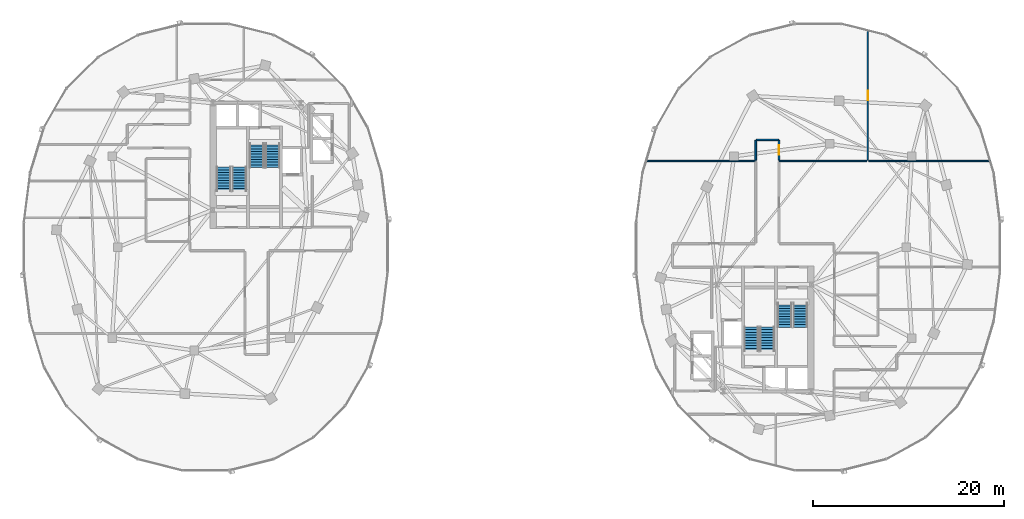
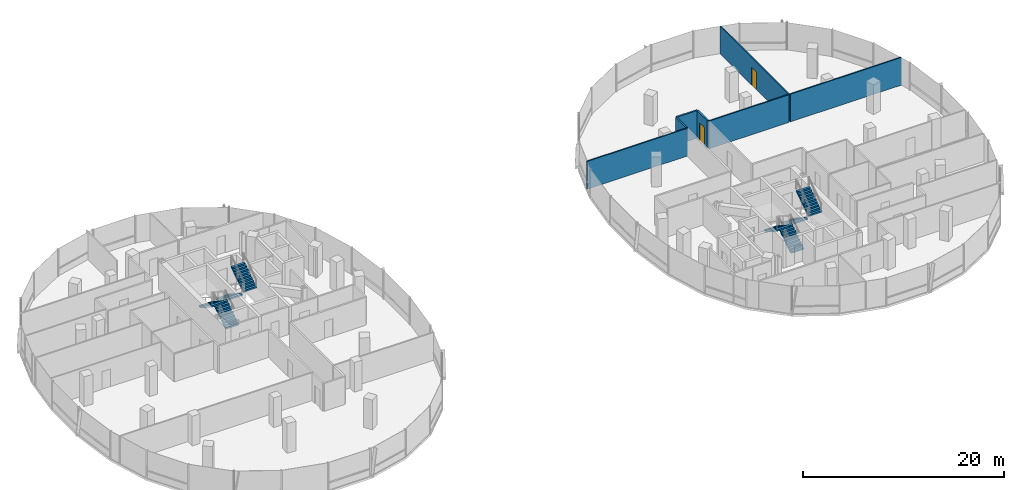
# One storey, part 15 of 22: 8 stair flights, 7 walls, 2 doors, 2 openings, 4 elements without a shape of their own.
"""IFC4 building model written with IfcOpenShell, lengths in metres."""

from ifc_helpers import new_model, si_unit, direction, frame, frame_2d, origin, place, context, subcontext, project, spatial, polyline, rectangle, outline, extrude, material, layer, layer_set, type_object, element, fill, aggregate, save


model = new_model("IFC4")

# Units and contexts
model_context = context("Model", 3, precision=1e-05, world=origin(), true_north=direction((0.0, 1.0)))
body_context = subcontext(model_context, "Body", "Model", "MODEL_VIEW")
ifc_project = project(units=[si_unit("LENGTHUNIT", "METRE"), si_unit("AREAUNIT", "SQUARE_METRE"), si_unit("VOLUMEUNIT", "CUBIC_METRE"), si_unit("PLANEANGLEUNIT", "RADIAN"), si_unit("MASSUNIT", "GRAM", prefix="KILO"), si_unit("THERMODYNAMICTEMPERATUREUNIT", "KELVIN"), si_unit("POWERUNIT", "WATT")], contexts=[model_context])

# Site, building, storey
site_placement = place(None, origin())
site = spatial("IfcSite", under=ifc_project, at=site_placement, CompositionType="ELEMENT")
building_placement = place(site_placement, origin())
building = spatial("IfcBuilding", under=site, at=building_placement, Name="Cundina Bronze Exchange", CompositionType="ELEMENT")
storey_placement = place(building_placement, frame((0.0, 0.0, 154.800048828125)))
storey = spatial("IfcBuildingStorey", under=building, at=storey_placement, Name="L40", CompositionType="ELEMENT", Elevation=154.800048828125)

# Walls
ifc_material_1 = material(Name="Gypsum Fireboard Partition EI120")
ifc_layer_1 = layer(ifc_material_1, 0.179931640625, Name="Gypsum Fireboard Partition EI120")
ifc_layer_set_1 = layer_set([ifc_layer_1], Name="Gypsum Fireboard Partition EI120")
wall_type_1 = type_object("IfcWallType", Name="WL-COR-180", PredefinedType="PARTITIONING", material=ifc_layer_set_1)
wall_1_placement = place(storey_placement, frame((27.87841796875, 11.219970703125, 0.0), z_axis=(0.0, 0.0, 1.0), x_axis=(-1.0, 0.0, 0.0)))
element("IfcWall", 1, at=wall_1_placement, inside=storey, type_object=wall_type_1, Name="L40 Interior Partition 081", PredefinedType="PARTITIONING", context=body_context, shape_type="SweptSolid", body=[
    extrude(rectangle(XDim=2.35693359375, YDim=0.179931640625, at=frame_2d((1.178466796875, 0.0))), origin(), (0.0, 0.0, 1.0), 3.35986328125),
])
wall_2_placement = place(storey_placement, frame((25.47998046875, 11.178466796875, 0.0), z_axis=(0.0, 0.0, 1.0), x_axis=(0.0, -1.0, 0.0)))
element("IfcWall", 2, at=wall_2_placement, inside=storey, type_object=wall_type_1, Name="L40 Interior Partition 082", PredefinedType="PARTITIONING", context=body_context, shape_type="SweptSolid", body=[
    extrude(rectangle(XDim=2.078369140625, YDim=0.179931640625, at=frame_2d((1.0390625, 0.0))), origin(), (0.0, 0.0, 1.0), 3.35986328125),
])

# Wall, opening, door
wall_3_placement = place(storey_placement, frame((27.919921875, 9.10009765625, 0.0), z_axis=(0.0, 0.0, 1.0), x_axis=(0.0, 1.0, 0.0)))
wall_3 = element("IfcWall", 3, at=wall_3_placement, inside=storey, type_object=wall_type_1, Name="L40 Interior Partition 083", PredefinedType="PARTITIONING", context=body_context, shape_type="SweptSolid", body=[
    extrude(rectangle(XDim=2.078369140625, YDim=0.179931640625, at=frame_2d((1.0390625, 0.0))), origin(), (0.0, 0.0, 1.0), 3.35986328125),
])
opening_1_placement = place(wall_3_placement, frame((0.539306640625, 0.0, 0.0)))
opening_1 = element("IfcOpeningElement", 4, at=opening_1_placement, cuts=wall_3, Name="Opening DO-01", PredefinedType="OPENING", context=body_context, shape_type="SweptSolid", body=[
    extrude(rectangle(XDim=1.0, YDim=2.14990234375, at=frame_2d((0.5, 1.074951171875))), frame((0.0, 0.099853515625, 0.0), z_axis=(0.0, -1.0, 0.0), x_axis=(1.0, 0.0, 0.0)), (0.0, 0.0, 1.0), 0.199951171875),
])
ifc_material_2 = material(Name="Solid Andean Oak Timber Grade A", Category="wood")
door_type = type_object("IfcDoorType", Name="DR-OFF-1000", OperationType="NOTDEFINED", PredefinedType="DOOR", material=ifc_material_2)
door_1_placement = place(opening_1_placement, origin())
door_1 = element("IfcDoor", 5, at=door_1_placement, inside=storey, type_object=door_type, Name="L40 Interior Door 083", OperationType="SINGLE_SWING_RIGHT", OverallHeight=2.14990234375, OverallWidth=1.0, PredefinedType="DOOR", context=body_context, shape_type="SweptSolid", body=[
    extrude(rectangle(XDim=1.0, YDim=2.14990234375, at=frame_2d((0.5, 1.074951171875))), frame((0.0, 0.02490234375, 0.0), z_axis=(0.0, -1.0, 0.0), x_axis=(1.0, 0.0, 0.0)), (0.0, 0.0, 1.0), 0.050048828125),
])
fill(opening_1, door_1)

ifc_material_3 = material(Name="Gypsum Acoustic Partition EI60")
ifc_layer_2 = layer(ifc_material_3, 0.125, Name="Gypsum Acoustic Partition EI60")
ifc_layer_set_2 = layer_set([ifc_layer_2], Name="Gypsum Acoustic Partition EI60")
wall_type_2 = type_object("IfcWallType", Name="WL-OFF-125", PredefinedType="PARTITIONING", material=ifc_layer_set_2)
wall_4_placement = place(storey_placement, frame((37.18994140625, 9.10009765625, 0.0), z_axis=(0.0, 0.0, 1.0), x_axis=(0.0, 1.0, 0.0)))
wall_4 = element("IfcWall", 6, at=wall_4_placement, inside=storey, type_object=wall_type_2, Name="L40 Interior Partition 085", PredefinedType="PARTITIONING", context=body_context, shape_type="SweptSolid", body=[
    extrude(rectangle(XDim=13.531982421875, YDim=0.125, at=frame_2d((6.76611328125, 0.0))), origin(), (0.0, 0.0, 1.0), 3.35986328125),
])
opening_2_placement = place(wall_4_placement, frame((6.26611328125, 0.0, 0.0)))
opening_2 = element("IfcOpeningElement", 7, at=opening_2_placement, cuts=wall_4, Name="Opening DO-01", PredefinedType="OPENING", context=body_context, shape_type="SweptSolid", body=[
    extrude(rectangle(XDim=1.0, YDim=2.14990234375, at=frame_2d((0.5, 1.074951171875))), frame((0.0, 0.072509765625, 0.0), z_axis=(0.0, -1.0, 0.0), x_axis=(1.0, 0.0, 0.0)), (0.0, 0.0, 1.0), 0.14501953125),
])
door_2_placement = place(opening_2_placement, origin())
door_2 = element("IfcDoor", 8, at=door_2_placement, inside=storey, type_object=door_type, Name="L40 Interior Door 085", OperationType="SINGLE_SWING_RIGHT", OverallHeight=2.14990234375, OverallWidth=1.0, PredefinedType="DOOR", context=body_context, shape_type="SweptSolid", body=[
    extrude(rectangle(XDim=1.0, YDim=2.14990234375, at=frame_2d((0.5, 1.074951171875))), frame((0.0, 0.02490234375, 0.0), z_axis=(0.0, -1.0, 0.0), x_axis=(1.0, 0.0, 0.0)), (0.0, 0.0, 1.0), 0.050048828125),
])
fill(opening_2, door_2)

# Walls
ifc_layer_3 = layer(ifc_material_3, 0.14990234375, Name="Gypsum Acoustic Partition EI60")
ifc_layer_set_3 = layer_set([ifc_layer_3], Name="Gypsum Acoustic Partition EI60")
wall_type_3 = type_object("IfcWallType", Name="WL-TEN-150", PredefinedType="PARTITIONING", material=ifc_layer_set_3)
wall_5_placement = place(storey_placement, frame((13.95458984375, 9.010009765625, 0.0), z_axis=(0.0, 0.0, 1.0), x_axis=(1.0, 0.0, 0.0)))
element("IfcWall", 9, at=wall_5_placement, inside=storey, type_object=wall_type_3, Name="L40 Interior Partition 058", PredefinedType="PARTITIONING", context=body_context, shape_type="SweptSolid", body=[
    extrude(rectangle(XDim=11.495361328125, YDim=0.14990234375, at=frame_2d((5.74755859375, 0.0))), origin(), (0.0, 0.0, 1.0), 3.35986328125),
])
wall_6_placement = place(storey_placement, frame((27.949951171875, 9.010009765625, 0.0), z_axis=(0.0, 0.0, 1.0), x_axis=(1.0, 0.0, 0.0)))
element("IfcWall", 10, at=wall_6_placement, inside=storey, type_object=wall_type_3, Name="L40 Interior Partition 059", PredefinedType="PARTITIONING", context=body_context, shape_type="SweptSolid", body=[
    extrude(rectangle(XDim=9.155029296875, YDim=0.14990234375, at=frame_2d((4.57763671875, 0.0))), origin(), (0.0, 0.0, 1.0), 3.35986328125),
])
wall_7_placement = place(storey_placement, frame((37.27490234375, 9.010009765625, 0.0), z_axis=(0.0, 0.0, 1.0), x_axis=(1.0, 0.0, 0.0)))
element("IfcWall", 11, at=wall_7_placement, inside=storey, type_object=wall_type_3, Name="L40 Interior Partition 060", PredefinedType="PARTITIONING", context=body_context, shape_type="SweptSolid", body=[
    extrude(rectangle(XDim=12.7705078125, YDim=0.14990234375, at=frame_2d((6.38525390625, 0.0))), origin(), (0.0, 0.0, 1.0), 3.35986328125),
])

# Stair, stair flights
ifc_material_4 = material(Name="Concrete C40/50", Category="concrete")
stair_type = type_object("IfcStairType", Name="STR-OFF-360", PredefinedType="HALF_TURN_STAIR", material=ifc_material_4)
stair_1_placement = place(storey_placement, origin())
stair_1 = element("IfcStair", 12, at=stair_1_placement, inside=storey, type_object=stair_type, Name="L40 Smokeproof Exit Stair W1", PredefinedType="HALF_TURN_STAIR")
stair_flight_type = type_object("IfcStairFlightType", Name="FLG-OFF-180", PredefinedType="STRAIGHT", material=ifc_material_4)
stair_flight_1_placement = place(storey_placement, frame((-28.489990234375, 5.85009765625, 0.0), z_axis=(0.0, 0.0, 1.0), x_axis=(0.0, 1.0, 0.0)))
stair_flight_1 = element("IfcStairFlight", 13, at=stair_flight_1_placement, type_object=stair_flight_type, Name="ST-W1 flight 1", NumberOfRisers=10, NumberOfTreads=9, PredefinedType="STRAIGHT", RiserHeight=0.18, TreadLength=0.28, context=body_context, shape_type="SweptSolid", body=[
    extrude(outline(polyline([(0.0, 0.0), (0.0, 0.179931640625), (0.280029296875, 0.179931640625), (0.280029296875, 0.360107421875), (0.56005859375, 0.360107421875), (0.56005859375, 0.5400390625), (0.840087890625, 0.5400390625), (0.840087890625, 0.719970703125), (1.1201171875, 0.719970703125), (1.1201171875, 0.89990234375), (1.39990234375, 0.89990234375), (1.39990234375, 1.080078125), (1.679931640625, 1.080078125), (1.679931640625, 1.260009765625), (1.9599609375, 1.260009765625), (1.9599609375, 1.43994140625), (2.239990234375, 1.43994140625), (2.239990234375, 1.6201171875), (2.52001953125, 1.6201171875), (2.52001953125, 1.800048828125), (2.52001953125, 1.44189453125), (0.277099609375, 0.0), (0.0, 0.0)])), frame((0.0, 0.75, 0.0), z_axis=(0.0, -1.0, 0.0), x_axis=(1.0, 0.0, 0.0)), (0.0, 0.0, 1.0), 1.5),
])
stair_flight_2_placement = place(storey_placement, frame((-30.14990234375, 8.3701171875, 1.800048828125), z_axis=(0.0, 0.0, 1.0), x_axis=(0.0, -1.0, 0.0)))
stair_flight_2 = element("IfcStairFlight", 14, at=stair_flight_2_placement, type_object=stair_flight_type, Name="ST-W1 flight 2", NumberOfRisers=10, NumberOfTreads=9, PredefinedType="STRAIGHT", RiserHeight=0.18, TreadLength=0.28, context=body_context, shape_type="SweptSolid", body=[
    extrude(outline(polyline([(0.0, 0.0), (0.0, 0.179931640625), (0.280029296875, 0.179931640625), (0.280029296875, 0.360107421875), (0.56005859375, 0.360107421875), (0.56005859375, 0.5400390625), (0.840087890625, 0.5400390625), (0.840087890625, 0.719970703125), (1.1201171875, 0.719970703125), (1.1201171875, 0.89990234375), (1.39990234375, 0.89990234375), (1.39990234375, 1.080078125), (1.679931640625, 1.080078125), (1.679931640625, 1.260009765625), (1.9599609375, 1.260009765625), (1.9599609375, 1.43994140625), (2.239990234375, 1.43994140625), (2.239990234375, 1.6201171875), (2.52001953125, 1.6201171875), (2.52001953125, 1.800048828125), (2.52001953125, 1.44189453125), (0.277099609375, 0.0), (0.0, 0.0)])), frame((0.0, 0.75, 0.0), z_axis=(0.0, -1.0, 0.0), x_axis=(1.0, 0.0, 0.0)), (0.0, 0.0, 1.0), 1.5),
])
aggregate(stair_1, [stair_flight_1, stair_flight_2])

stair_2_placement = place(storey_placement, origin())
stair_2 = element("IfcStair", 15, at=stair_2_placement, inside=storey, type_object=stair_type, Name="L40 Smokeproof Exit Stair W2", PredefinedType="HALF_TURN_STAIR")
stair_flight_3_placement = place(storey_placement, frame((-26.68994140625, 10.85009765625, 0.0), z_axis=(0.0, 0.0, 1.0), x_axis=(0.0, -1.0, 0.0)))
stair_flight_3 = element("IfcStairFlight", 16, at=stair_flight_3_placement, type_object=stair_flight_type, Name="ST-W2 flight 1", NumberOfRisers=10, NumberOfTreads=9, PredefinedType="STRAIGHT", RiserHeight=0.18, TreadLength=0.28, context=body_context, shape_type="SweptSolid", body=[
    extrude(outline(polyline([(0.0, 0.0), (0.0, 0.179931640625), (0.280029296875, 0.179931640625), (0.280029296875, 0.360107421875), (0.56005859375, 0.360107421875), (0.56005859375, 0.5400390625), (0.840087890625, 0.5400390625), (0.840087890625, 0.719970703125), (1.1201171875, 0.719970703125), (1.1201171875, 0.89990234375), (1.39990234375, 0.89990234375), (1.39990234375, 1.080078125), (1.679931640625, 1.080078125), (1.679931640625, 1.260009765625), (1.9599609375, 1.260009765625), (1.9599609375, 1.43994140625), (2.239990234375, 1.43994140625), (2.239990234375, 1.6201171875), (2.52001953125, 1.6201171875), (2.52001953125, 1.800048828125), (2.52001953125, 1.44189453125), (0.277099609375, 0.0), (0.0, 0.0)])), frame((0.0, 0.75, 0.0), z_axis=(0.0, -1.0, 0.0), x_axis=(1.0, 0.0, 0.0)), (0.0, 0.0, 1.0), 1.5),
])
stair_flight_4_placement = place(storey_placement, frame((-25.030029296875, 8.330078125, 1.800048828125), z_axis=(0.0, 0.0, 1.0), x_axis=(0.0, 1.0, 0.0)))
stair_flight_4 = element("IfcStairFlight", 17, at=stair_flight_4_placement, type_object=stair_flight_type, Name="ST-W2 flight 2", NumberOfRisers=10, NumberOfTreads=9, PredefinedType="STRAIGHT", RiserHeight=0.18, TreadLength=0.28, context=body_context, shape_type="SweptSolid", body=[
    extrude(outline(polyline([(0.0, 0.0), (0.0, 0.179931640625), (0.280029296875, 0.179931640625), (0.280029296875, 0.360107421875), (0.56005859375, 0.360107421875), (0.56005859375, 0.5400390625), (0.840087890625, 0.5400390625), (0.840087890625, 0.719970703125), (1.1201171875, 0.719970703125), (1.1201171875, 0.89990234375), (1.39990234375, 0.89990234375), (1.39990234375, 1.080078125), (1.679931640625, 1.080078125), (1.679931640625, 1.260009765625), (1.9599609375, 1.260009765625), (1.9599609375, 1.43994140625), (2.239990234375, 1.43994140625), (2.239990234375, 1.6201171875), (2.52001953125, 1.6201171875), (2.52001953125, 1.800048828125), (2.52001953125, 1.44189453125), (0.277099609375, 0.0), (0.0, 0.0)])), frame((0.0, 0.75, 0.0), z_axis=(0.0, -1.0, 0.0), x_axis=(1.0, 0.0, 0.0)), (0.0, 0.0, 1.0), 1.5),
])
aggregate(stair_2, [stair_flight_3, stair_flight_4])

stair_3_placement = place(storey_placement, origin())
stair_3 = element("IfcStair", 18, at=stair_3_placement, inside=storey, type_object=stair_type, Name="L40 Smokeproof Exit Stair E1", PredefinedType="HALF_TURN_STAIR")
stair_flight_5_placement = place(storey_placement, frame((28.489990234375, -5.85009765625, 0.0), z_axis=(0.0, 0.0, 1.0), x_axis=(0.0, -1.0, 0.0)))
stair_flight_5 = element("IfcStairFlight", 19, at=stair_flight_5_placement, type_object=stair_flight_type, Name="ST-E1 flight 1", NumberOfRisers=10, NumberOfTreads=9, PredefinedType="STRAIGHT", RiserHeight=0.18, TreadLength=0.28, context=body_context, shape_type="SweptSolid", body=[
    extrude(outline(polyline([(0.0, 0.0), (0.0, 0.179931640625), (0.280029296875, 0.179931640625), (0.280029296875, 0.360107421875), (0.56005859375, 0.360107421875), (0.56005859375, 0.5400390625), (0.840087890625, 0.5400390625), (0.840087890625, 0.719970703125), (1.1201171875, 0.719970703125), (1.1201171875, 0.89990234375), (1.39990234375, 0.89990234375), (1.39990234375, 1.080078125), (1.679931640625, 1.080078125), (1.679931640625, 1.260009765625), (1.9599609375, 1.260009765625), (1.9599609375, 1.43994140625), (2.239990234375, 1.43994140625), (2.239990234375, 1.6201171875), (2.52001953125, 1.6201171875), (2.52001953125, 1.800048828125), (2.52001953125, 1.44189453125), (0.277099609375, 0.0), (0.0, 0.0)])), frame((0.0, 0.75, 0.0), z_axis=(0.0, -1.0, 0.0), x_axis=(1.0, 0.0, 0.0)), (0.0, 0.0, 1.0), 1.5),
])
stair_flight_6_placement = place(storey_placement, frame((30.14990234375, -8.3701171875, 1.800048828125), z_axis=(0.0, 0.0, 1.0), x_axis=(0.0, 1.0, 0.0)))
stair_flight_6 = element("IfcStairFlight", 20, at=stair_flight_6_placement, type_object=stair_flight_type, Name="ST-E1 flight 2", NumberOfRisers=10, NumberOfTreads=9, PredefinedType="STRAIGHT", RiserHeight=0.18, TreadLength=0.28, context=body_context, shape_type="SweptSolid", body=[
    extrude(outline(polyline([(0.0, 0.0), (0.0, 0.179931640625), (0.280029296875, 0.179931640625), (0.280029296875, 0.360107421875), (0.56005859375, 0.360107421875), (0.56005859375, 0.5400390625), (0.840087890625, 0.5400390625), (0.840087890625, 0.719970703125), (1.1201171875, 0.719970703125), (1.1201171875, 0.89990234375), (1.39990234375, 0.89990234375), (1.39990234375, 1.080078125), (1.679931640625, 1.080078125), (1.679931640625, 1.260009765625), (1.9599609375, 1.260009765625), (1.9599609375, 1.43994140625), (2.239990234375, 1.43994140625), (2.239990234375, 1.6201171875), (2.52001953125, 1.6201171875), (2.52001953125, 1.800048828125), (2.52001953125, 1.44189453125), (0.277099609375, 0.0), (0.0, 0.0)])), frame((0.0, 0.75, 0.0), z_axis=(0.0, -1.0, 0.0), x_axis=(1.0, 0.0, 0.0)), (0.0, 0.0, 1.0), 1.5),
])
aggregate(stair_3, [stair_flight_5, stair_flight_6])

stair_4_placement = place(storey_placement, origin())
stair_4 = element("IfcStair", 21, at=stair_4_placement, inside=storey, type_object=stair_type, Name="L40 Smokeproof Exit Stair E2", PredefinedType="HALF_TURN_STAIR")
stair_flight_7_placement = place(storey_placement, frame((26.68994140625, -10.85009765625, 0.0), z_axis=(0.0, 0.0, 1.0), x_axis=(0.0, 1.0, 0.0)))
stair_flight_7 = element("IfcStairFlight", 22, at=stair_flight_7_placement, type_object=stair_flight_type, Name="ST-E2 flight 1", NumberOfRisers=10, NumberOfTreads=9, PredefinedType="STRAIGHT", RiserHeight=0.18, TreadLength=0.28, context=body_context, shape_type="SweptSolid", body=[
    extrude(outline(polyline([(0.0, 0.0), (0.0, 0.179931640625), (0.280029296875, 0.179931640625), (0.280029296875, 0.360107421875), (0.56005859375, 0.360107421875), (0.56005859375, 0.5400390625), (0.840087890625, 0.5400390625), (0.840087890625, 0.719970703125), (1.1201171875, 0.719970703125), (1.1201171875, 0.89990234375), (1.39990234375, 0.89990234375), (1.39990234375, 1.080078125), (1.679931640625, 1.080078125), (1.679931640625, 1.260009765625), (1.9599609375, 1.260009765625), (1.9599609375, 1.43994140625), (2.239990234375, 1.43994140625), (2.239990234375, 1.6201171875), (2.52001953125, 1.6201171875), (2.52001953125, 1.800048828125), (2.52001953125, 1.44189453125), (0.277099609375, 0.0), (0.0, 0.0)])), frame((0.0, 0.75, 0.0), z_axis=(0.0, -1.0, 0.0), x_axis=(1.0, 0.0, 0.0)), (0.0, 0.0, 1.0), 1.5),
])
stair_flight_8_placement = place(storey_placement, frame((25.030029296875, -8.330078125, 1.800048828125), z_axis=(0.0, 0.0, 1.0), x_axis=(0.0, -1.0, 0.0)))
stair_flight_8 = element("IfcStairFlight", 23, at=stair_flight_8_placement, type_object=stair_flight_type, Name="ST-E2 flight 2", NumberOfRisers=10, NumberOfTreads=9, PredefinedType="STRAIGHT", RiserHeight=0.18, TreadLength=0.28, context=body_context, shape_type="SweptSolid", body=[
    extrude(outline(polyline([(0.0, 0.0), (0.0, 0.179931640625), (0.280029296875, 0.179931640625), (0.280029296875, 0.360107421875), (0.56005859375, 0.360107421875), (0.56005859375, 0.5400390625), (0.840087890625, 0.5400390625), (0.840087890625, 0.719970703125), (1.1201171875, 0.719970703125), (1.1201171875, 0.89990234375), (1.39990234375, 0.89990234375), (1.39990234375, 1.080078125), (1.679931640625, 1.080078125), (1.679931640625, 1.260009765625), (1.9599609375, 1.260009765625), (1.9599609375, 1.43994140625), (2.239990234375, 1.43994140625), (2.239990234375, 1.6201171875), (2.52001953125, 1.6201171875), (2.52001953125, 1.800048828125), (2.52001953125, 1.44189453125), (0.277099609375, 0.0), (0.0, 0.0)])), frame((0.0, 0.75, 0.0), z_axis=(0.0, -1.0, 0.0), x_axis=(1.0, 0.0, 0.0)), (0.0, 0.0, 1.0), 1.5),
])
aggregate(stair_4, [stair_flight_7, stair_flight_8])

save(model, "model.ifc")
